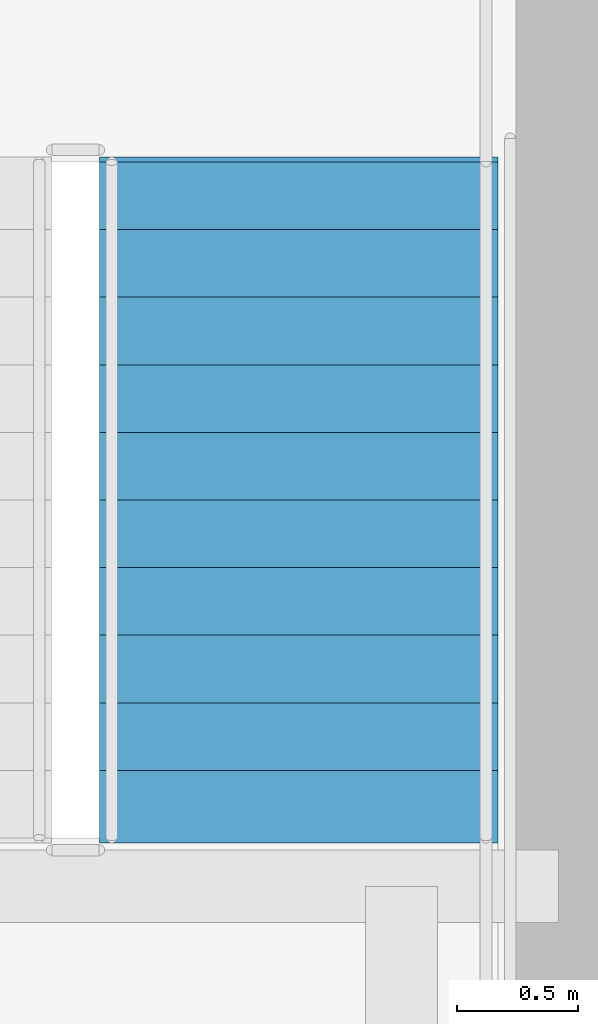
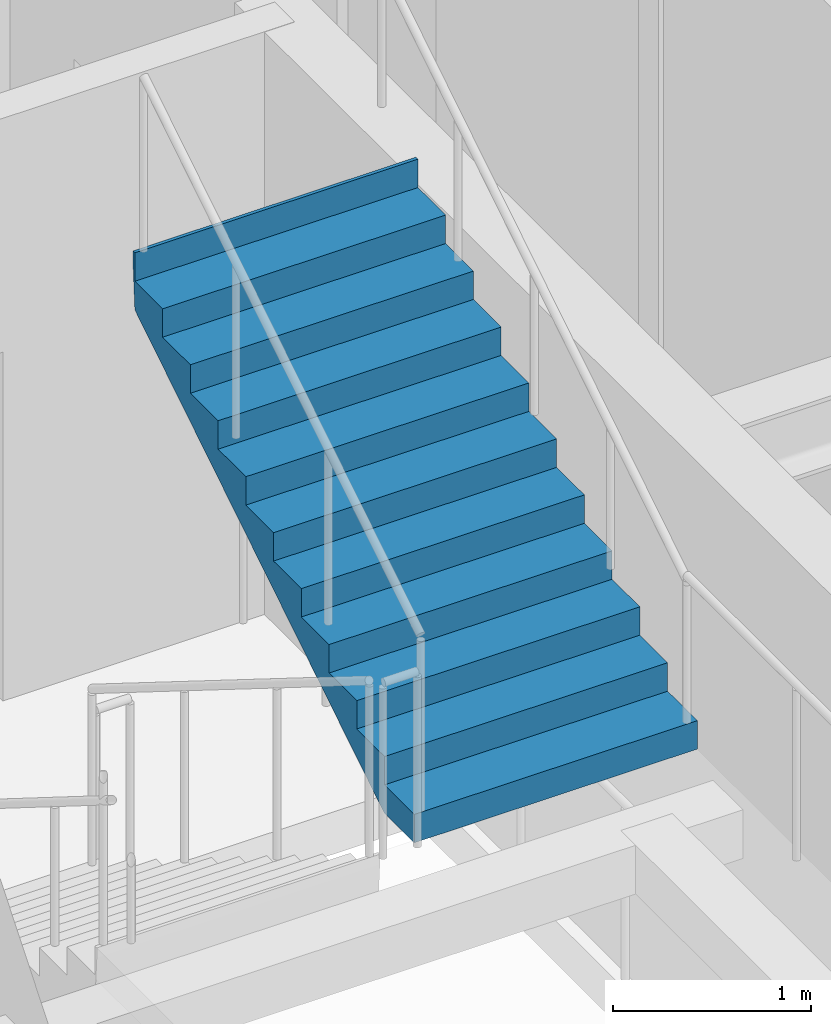
# One storey, part 34 of 39: 1 stair flight, 1 element without a shape of its own.
"""IFC4 building model written with IfcOpenShell, lengths in metres."""

from ifc_helpers import new_model, si_unit, direction, frame, origin, place, context, subcontext, project, spatial, polygons, material, type_object, element, aggregate, save


model = new_model("IFC4")

# Units and contexts
model_context = context("Model", 3, precision=1e-05, world=origin(), true_north=direction((0.0, 1.0)))
body_context = subcontext(model_context, "Body", "Model", "MODEL_VIEW")
ifc_project = project(units=[si_unit("LENGTHUNIT", "METRE"), si_unit("AREAUNIT", "SQUARE_METRE"), si_unit("VOLUMEUNIT", "CUBIC_METRE"), si_unit("PLANEANGLEUNIT", "RADIAN"), si_unit("MASSUNIT", "GRAM", prefix="KILO")], contexts=[model_context])

# Site, building, storey
site_placement = place(None, origin())
site = spatial("IfcSite", under=ifc_project, at=site_placement, CompositionType="ELEMENT")
building_placement = place(site_placement, origin())
building = spatial("IfcBuilding", under=site, at=building_placement, Name="Serunith Strait Residences", CompositionType="ELEMENT")
storey_placement = place(building_placement, frame((0.0, 0.0, 222.0)))
storey = spatial("IfcBuildingStorey", under=building, at=storey_placement, Name="L55", CompositionType="ELEMENT", Elevation=222.0)

# Stair, stair flight
ifc_material = material(Name="Concrete C50/60", Category="concrete")
stair_type = type_object("IfcStairType", Name="STR-CORE-2", PredefinedType="HALF_TURN_STAIR", material=ifc_material)
stair_placement = place(storey_placement, origin())
stair = element("IfcStair", 1, at=stair_placement, inside=storey, type_object=stair_type, Name="L55 Protected Escape Stair ST-2", PredefinedType="HALF_TURN_STAIR")
stair_flight_type = type_object("IfcStairFlightType", Name="FLT-CORE-2", PredefinedType="STRAIGHT", material=ifc_material)
stair_flight_placement = place(storey_placement, frame((40.324951171875, 20.570068359375, 1.925048828125), z_axis=(0.0, 0.0, 1.0), x_axis=(0.0, 1.0, 0.0)))
stair_flight = element("IfcStairFlight", 2, at=stair_flight_placement, type_object=stair_flight_type, Name="ST-2 flight 2", NumberOfRisers=11, NumberOfTreads=10, PredefinedType="STRAIGHT", RiserHeight=0.175, TreadLength=0.28, context=body_context, shape_type="Tessellation", body=[
    polygons([(-0.02001953125, -0.824951171875, 0.0), (-0.02001953125, -0.824951171875, 0.175048828125), (0.280029296875, -0.824951171875, 0.175048828125), (0.280029296875, -0.824951171875, 0.35009765625), (0.56005859375, -0.824951171875, 0.35009765625), (0.56005859375, -0.824951171875, 0.52490234375), (0.840087890625, -0.824951171875, 0.52490234375), (0.840087890625, -0.824951171875, 0.699951171875), (1.1201171875, -0.824951171875, 0.699951171875), (1.1201171875, -0.824951171875, 0.875), (1.39990234375, -0.824951171875, 0.875), (1.39990234375, -0.824951171875, 1.050048828125), (1.679931640625, -0.824951171875, 1.050048828125), (1.679931640625, -0.824951171875, 1.22509765625), (1.9599609375, -0.824951171875, 1.22509765625), (1.9599609375, -0.824951171875, 1.39990234375), (2.239990234375, -0.824951171875, 1.39990234375), (2.239990234375, -0.824951171875, 1.574951171875), (2.52001953125, -0.824951171875, 1.574951171875), (2.52001953125, -0.824951171875, 1.75), (2.800048828125, -0.824951171875, 1.75), (2.800048828125, -0.824951171875, 1.925048828125), (2.820068359375, -0.824951171875, 1.925048828125), (2.820068359375, -0.824951171875, 1.864990234375), (2.800048828125, -0.824951171875, 1.5732421875), (0.28271484375, -0.824951171875, 0.0), (-0.02001953125, -0.41259765625, 0.0), (-0.02001953125, -0.41259765625, 0.175048828125), (0.280029296875, -0.41259765625, 0.175048828125), (0.280029296875, -0.41259765625, 0.35009765625), (0.56005859375, -0.41259765625, 0.35009765625), (0.56005859375, -0.41259765625, 0.52490234375), (0.840087890625, -0.41259765625, 0.52490234375), (0.840087890625, -0.41259765625, 0.699951171875), (1.1201171875, -0.41259765625, 0.699951171875), (1.1201171875, -0.41259765625, 0.875), (1.39990234375, -0.41259765625, 0.875), (1.39990234375, -0.41259765625, 1.050048828125), (1.679931640625, -0.41259765625, 1.050048828125), (1.679931640625, -0.41259765625, 1.22509765625), (1.9599609375, -0.41259765625, 1.22509765625), (1.9599609375, -0.41259765625, 1.39990234375), (2.239990234375, -0.41259765625, 1.39990234375), (2.239990234375, -0.41259765625, 1.574951171875), (2.52001953125, -0.41259765625, 1.574951171875), (2.52001953125, -0.41259765625, 1.75), (2.800048828125, -0.41259765625, 1.75), (2.800048828125, -0.41259765625, 1.925048828125), (2.820068359375, -0.41259765625, 1.925048828125), (2.820068359375, -0.41259765625, 1.864990234375), (2.800048828125, -0.41259765625, 1.5732421875), (0.28271484375, -0.41259765625, 0.0), (-0.02001953125, 0.0, 0.0), (-0.02001953125, 0.0, 0.175048828125), (0.280029296875, 0.0, 0.175048828125), (0.280029296875, 0.0, 0.35009765625), (0.56005859375, 0.0, 0.35009765625), (0.56005859375, 0.0, 0.52490234375), (0.840087890625, 0.0, 0.52490234375), (0.840087890625, 0.0, 0.699951171875), (1.1201171875, 0.0, 0.699951171875), (1.1201171875, 0.0, 0.875), (1.39990234375, 0.0, 0.875), (1.39990234375, 0.0, 1.050048828125), (1.679931640625, 0.0, 1.050048828125), (1.679931640625, 0.0, 1.22509765625), (1.9599609375, 0.0, 1.22509765625), (1.9599609375, 0.0, 1.39990234375), (2.239990234375, 0.0, 1.39990234375), (2.239990234375, 0.0, 1.574951171875), (2.52001953125, 0.0, 1.574951171875), (2.52001953125, 0.0, 1.75), (2.800048828125, 0.0, 1.75), (2.800048828125, 0.0, 1.925048828125), (2.820068359375, 0.0, 1.925048828125), (2.820068359375, 0.0, 1.864990234375), (2.800048828125, 0.0, 1.5732421875), (0.28271484375, 0.0, 0.0), (-0.02001953125, 0.41259765625, 0.0), (-0.02001953125, 0.41259765625, 0.175048828125), (0.280029296875, 0.41259765625, 0.175048828125), (0.280029296875, 0.41259765625, 0.35009765625), (0.56005859375, 0.41259765625, 0.35009765625), (0.56005859375, 0.41259765625, 0.52490234375), (0.840087890625, 0.41259765625, 0.52490234375), (0.840087890625, 0.41259765625, 0.699951171875), (1.1201171875, 0.41259765625, 0.699951171875), (1.1201171875, 0.41259765625, 0.875), (1.39990234375, 0.41259765625, 0.875), (1.39990234375, 0.41259765625, 1.050048828125), (1.679931640625, 0.41259765625, 1.050048828125), (1.679931640625, 0.41259765625, 1.22509765625), (1.9599609375, 0.41259765625, 1.22509765625), (1.9599609375, 0.41259765625, 1.39990234375), (2.239990234375, 0.41259765625, 1.39990234375), (2.239990234375, 0.41259765625, 1.574951171875), (2.52001953125, 0.41259765625, 1.574951171875), (2.52001953125, 0.41259765625, 1.75), (2.800048828125, 0.41259765625, 1.75), (2.800048828125, 0.41259765625, 1.925048828125), (2.820068359375, 0.41259765625, 1.925048828125), (2.820068359375, 0.41259765625, 1.864990234375), (2.800048828125, 0.41259765625, 1.5732421875), (0.28271484375, 0.41259765625, 0.0), (-0.02001953125, 0.824951171875, 0.0), (-0.02001953125, 0.824951171875, 0.175048828125), (0.280029296875, 0.824951171875, 0.175048828125), (0.280029296875, 0.824951171875, 0.35009765625), (0.56005859375, 0.824951171875, 0.35009765625), (0.56005859375, 0.824951171875, 0.52490234375), (0.840087890625, 0.824951171875, 0.52490234375), (0.840087890625, 0.824951171875, 0.699951171875), (1.1201171875, 0.824951171875, 0.699951171875), (1.1201171875, 0.824951171875, 0.875), (1.39990234375, 0.824951171875, 0.875), (1.39990234375, 0.824951171875, 1.050048828125), (1.679931640625, 0.824951171875, 1.050048828125), (1.679931640625, 0.824951171875, 1.22509765625), (1.9599609375, 0.824951171875, 1.22509765625), (1.9599609375, 0.824951171875, 1.39990234375), (2.239990234375, 0.824951171875, 1.39990234375), (2.239990234375, 0.824951171875, 1.574951171875), (2.52001953125, 0.824951171875, 1.574951171875), (2.52001953125, 0.824951171875, 1.75), (2.800048828125, 0.824951171875, 1.75), (2.800048828125, 0.824951171875, 1.925048828125), (2.820068359375, 0.824951171875, 1.925048828125), (2.820068359375, 0.824951171875, 1.864990234375), (2.800048828125, 0.824951171875, 1.5732421875), (0.28271484375, 0.824951171875, 0.0)], [[[1, 2, 28, 27]], [[2, 3, 29, 28]], [[3, 4, 30, 29]], [[4, 5, 31, 30]], [[5, 6, 32, 31]], [[6, 7, 33, 32]], [[7, 8, 34, 33]], [[8, 9, 35, 34]], [[9, 10, 36, 35]], [[10, 11, 37, 36]], [[11, 12, 38, 37]], [[12, 13, 39, 38]], [[13, 14, 40, 39]], [[14, 15, 41, 40]], [[15, 16, 42, 41]], [[16, 17, 43, 42]], [[17, 18, 44, 43]], [[18, 19, 45, 44]], [[19, 20, 46, 45]], [[20, 21, 47, 46]], [[21, 22, 48, 47]], [[22, 23, 49, 48]], [[23, 24, 50, 49]], [[24, 25, 51, 50]], [[25, 26, 52, 51]], [[26, 1, 27, 52]], [[27, 28, 54, 53]], [[28, 29, 55, 54]], [[29, 30, 56, 55]], [[30, 31, 57, 56]], [[31, 32, 58, 57]], [[32, 33, 59, 58]], [[33, 34, 60, 59]], [[34, 35, 61, 60]], [[35, 36, 62, 61]], [[36, 37, 63, 62]], [[37, 38, 64, 63]], [[38, 39, 65, 64]], [[39, 40, 66, 65]], [[40, 41, 67, 66]], [[41, 42, 68, 67]], [[42, 43, 69, 68]], [[43, 44, 70, 69]], [[44, 45, 71, 70]], [[45, 46, 72, 71]], [[46, 47, 73, 72]], [[47, 48, 74, 73]], [[48, 49, 75, 74]], [[49, 50, 76, 75]], [[50, 51, 77, 76]], [[51, 52, 78, 77]], [[52, 27, 53, 78]], [[53, 54, 80, 79]], [[54, 55, 81, 80]], [[55, 56, 82, 81]], [[56, 57, 83, 82]], [[57, 58, 84, 83]], [[58, 59, 85, 84]], [[59, 60, 86, 85]], [[60, 61, 87, 86]], [[61, 62, 88, 87]], [[62, 63, 89, 88]], [[63, 64, 90, 89]], [[64, 65, 91, 90]], [[65, 66, 92, 91]], [[66, 67, 93, 92]], [[67, 68, 94, 93]], [[68, 69, 95, 94]], [[69, 70, 96, 95]], [[70, 71, 97, 96]], [[71, 72, 98, 97]], [[72, 73, 99, 98]], [[73, 74, 100, 99]], [[74, 75, 101, 100]], [[75, 76, 102, 101]], [[76, 77, 103, 102]], [[77, 78, 104, 103]], [[78, 53, 79, 104]], [[79, 80, 106, 105]], [[80, 81, 107, 106]], [[81, 82, 108, 107]], [[82, 83, 109, 108]], [[83, 84, 110, 109]], [[84, 85, 111, 110]], [[85, 86, 112, 111]], [[86, 87, 113, 112]], [[87, 88, 114, 113]], [[88, 89, 115, 114]], [[89, 90, 116, 115]], [[90, 91, 117, 116]], [[91, 92, 118, 117]], [[92, 93, 119, 118]], [[93, 94, 120, 119]], [[94, 95, 121, 120]], [[95, 96, 122, 121]], [[96, 97, 123, 122]], [[97, 98, 124, 123]], [[98, 99, 125, 124]], [[99, 100, 126, 125]], [[100, 101, 127, 126]], [[101, 102, 128, 127]], [[102, 103, 129, 128]], [[103, 104, 130, 129]], [[104, 79, 105, 130]], [[26, 25, 24, 23, 22, 21, 20, 19, 18, 17, 16, 15, 14, 13, 12, 11, 10, 9, 8, 7, 6, 5, 4, 3, 2, 1]], [[105, 106, 107, 108, 109, 110, 111, 112, 113, 114, 115, 116, 117, 118, 119, 120, 121, 122, 123, 124, 125, 126, 127, 128, 129, 130]]], closed=True),
])
aggregate(stair, [stair_flight])

save(model, "model.ifc")
